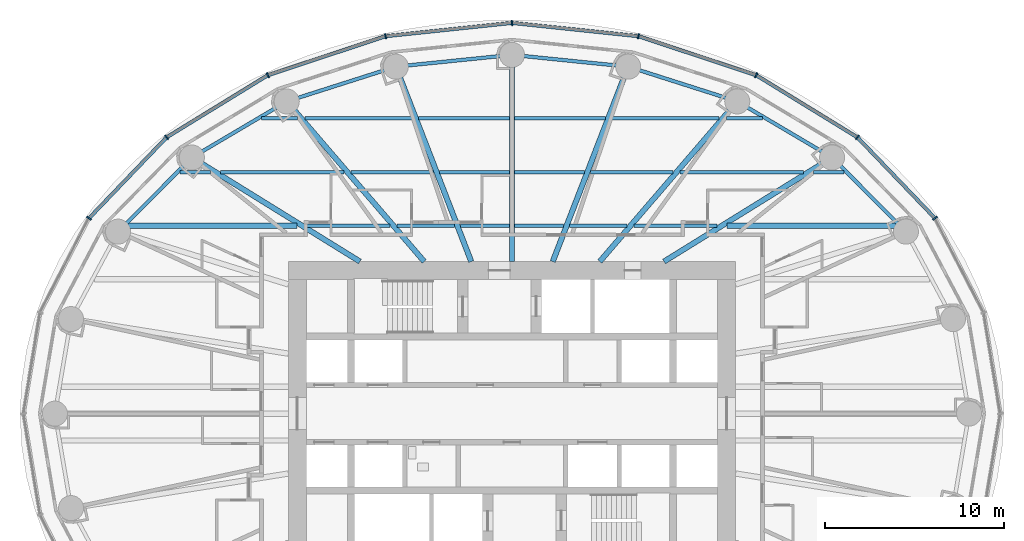
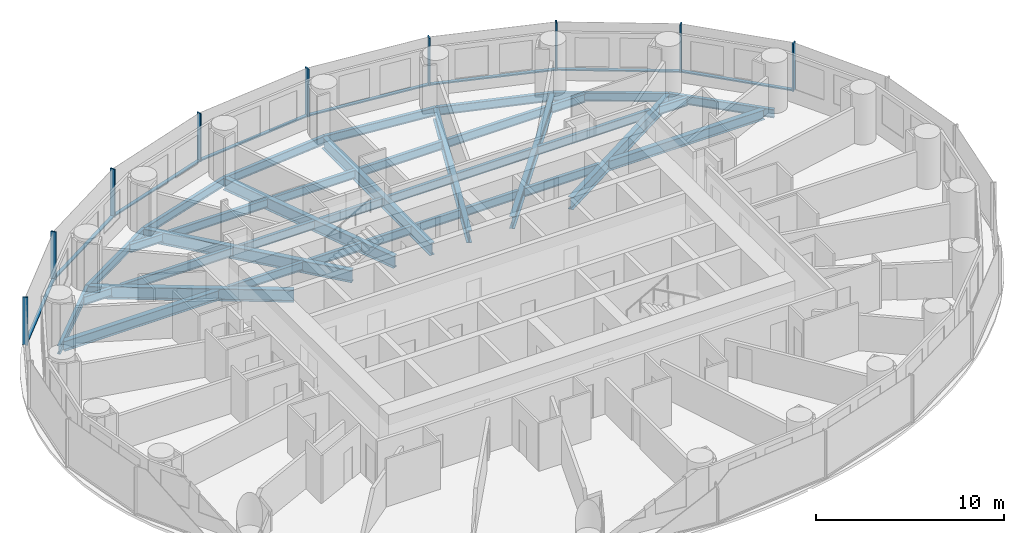
# One storey, part 4 of 16: 37 beams, 17 members, 2 elements without a shape of their own.
"""IFC4 building model written with IfcOpenShell, lengths in metres."""

from ifc_helpers import new_model, si_unit, direction, frame, origin, origin_2d, place, context, subcontext, project, spatial, rectangle, i_section, extrude, material, material_profile, profile_set, type_object, element, aggregate, save


model = new_model("IFC4")

# Units and contexts
model_context = context("Model", 3, precision=1e-05, world=origin(), true_north=direction((0.0, 1.0)))
body_context = subcontext(model_context, "Body", "Model", "MODEL_VIEW")
ifc_project = project(units=[si_unit("LENGTHUNIT", "METRE"), si_unit("AREAUNIT", "SQUARE_METRE"), si_unit("VOLUMEUNIT", "CUBIC_METRE"), si_unit("PLANEANGLEUNIT", "RADIAN"), si_unit("MASSUNIT", "GRAM", prefix="KILO")], contexts=[model_context])

# Site, building, storey
site_placement = place(None, origin())
site = spatial("IfcSite", under=ifc_project, at=site_placement, CompositionType="ELEMENT")
building_placement = place(site_placement, origin())
building = spatial("IfcBuilding", under=site, at=building_placement, Name="Hankou Lantern Tower", CompositionType="ELEMENT")
storey_placement = place(building_placement, frame((0.0, 0.0, 73.800048828125)))
storey = spatial("IfcBuildingStorey", under=building, at=storey_placement, Name="L18", CompositionType="ELEMENT", Elevation=73.800048828125)

# Beams
ifc_material_1 = material(Name="Steel Q355B", Category="steel")
ifc_material_profile_1 = material_profile(ifc_material_1, i_section(OverallWidth=0.199951171875, OverallDepth=0.550048828125, WebThickness=0.010009765625, FlangeThickness=0.01611328125, FilletRadius=0.012939453125, at=origin_2d()), Name="HN550x200x10x16")
ifc_profile_set_1 = profile_set([ifc_material_profile_1], Name="Steel Q355B")
beam_type_1 = type_object("IfcBeamType", Name="EB6 RING BEAM HN550x200x10x16", PredefinedType="SPANDREL", material=ifc_profile_set_1)
beam_1_placement = place(storey_placement, frame((22.01904296875, 10.170166015625, -0.455078125), z_axis=(-0.705727798394, 0.708483079949, 0.0), x_axis=(-0.708483079949, -0.705727798394, 0.0)))
element("IfcBeam", 1, at=beam_1_placement, inside=storey, type_object=beam_type_1, Name="Ring beam R03-R04 L18", PredefinedType="SPANDREL", context=body_context, shape_type="SweptSolid", body=[
    extrude(i_section(OverallWidth=0.199951171875, OverallDepth=0.550048828125, WebThickness=0.010009765625, FlangeThickness=0.01611328125, FilletRadius=0.012939453125, at=origin_2d()), origin(), (0.0, 0.0, 1.0), 5.84814453125),
])
beam_2_placement = place(storey_placement, frame((17.891845703125, 14.3134765625, -0.455078125), z_axis=(-0.860881533543, 0.508805449268, 0.0), x_axis=(-0.508805449268, -0.860881533543, 0.0)))
element("IfcBeam", 2, at=beam_2_placement, inside=storey, type_object=beam_type_1, Name="Ring beam R04-R05 L18", PredefinedType="SPANDREL", context=body_context, shape_type="SweptSolid", body=[
    extrude(i_section(OverallWidth=0.199951171875, OverallDepth=0.550048828125, WebThickness=0.010009765625, FlangeThickness=0.01611328125, FilletRadius=0.012939453125, at=origin_2d()), origin(), (0.0, 0.0, 1.0), 6.15771484375),
])
beam_3_placement = place(storey_placement, frame((12.5908203125, 17.446533203125, -0.455078125), z_axis=(-0.952690479428, 0.303942182671, 0.0), x_axis=(-0.303942182671, -0.952690479428, 0.0)))
element("IfcBeam", 3, at=beam_3_placement, inside=storey, type_object=beam_type_1, Name="Ring beam R05-R06 L18", PredefinedType="SPANDREL", context=body_context, shape_type="SweptSolid", body=[
    extrude(i_section(OverallWidth=0.199951171875, OverallDepth=0.550048828125, WebThickness=0.010009765625, FlangeThickness=0.01611328125, FilletRadius=0.012939453125, at=origin_2d()), origin(), (0.0, 0.0, 1.0), 6.398681640625),
])
for number, where, z_axis, x_axis, name in (
    (4, (6.494873046875, 19.391357421875, -0.455078125), (-0.994896616842, 0.100899562915, 0.0), (-0.100899562915, -0.994896616842, 0.0), "Ring beam R06-R07 L18"),
    (5, (0.0, 20.050048828125, -0.455078125), (-0.994896616842, -0.100899562915, 0.0), (0.100899562915, -0.994896616842, 0.0), "Ring beam R07-R08 L18"),
):
    element("IfcBeam", number, at=place(storey_placement, frame(where, z_axis=z_axis, x_axis=x_axis)), inside=storey, type_object=beam_type_1, Name=name, PredefinedType="SPANDREL", context=body_context, shape_type="SweptSolid", body=[
        extrude(i_section(OverallWidth=0.199951171875, OverallDepth=0.550048828125, WebThickness=0.010009765625, FlangeThickness=0.01611328125, FilletRadius=0.012939453125, at=origin_2d()), origin(), (0.0, 0.0, 1.0), 6.528076171875),
    ])
beam_4_placement = place(storey_placement, frame((-6.494873046875, 19.391357421875, -0.455078125), z_axis=(-0.952690479428, -0.303942182671, 0.0), x_axis=(0.303942182671, -0.952690479428, 0.0)))
element("IfcBeam", 6, at=beam_4_placement, inside=storey, type_object=beam_type_1, Name="Ring beam R08-R09 L18", PredefinedType="SPANDREL", context=body_context, shape_type="SweptSolid", body=[
    extrude(i_section(OverallWidth=0.199951171875, OverallDepth=0.550048828125, WebThickness=0.010009765625, FlangeThickness=0.01611328125, FilletRadius=0.012939453125, at=origin_2d()), origin(), (0.0, 0.0, 1.0), 6.398681640625),
])
beam_5_placement = place(storey_placement, frame((-12.5908203125, 17.446533203125, -0.455078125), z_axis=(-0.860881533543, -0.508805449268, 0.0), x_axis=(0.508805449268, -0.860881533543, 0.0)))
element("IfcBeam", 7, at=beam_5_placement, inside=storey, type_object=beam_type_1, Name="Ring beam R09-R10 L18", PredefinedType="SPANDREL", context=body_context, shape_type="SweptSolid", body=[
    extrude(i_section(OverallWidth=0.199951171875, OverallDepth=0.550048828125, WebThickness=0.010009765625, FlangeThickness=0.01611328125, FilletRadius=0.012939453125, at=origin_2d()), origin(), (0.0, 0.0, 1.0), 6.15771484375),
])
beam_6_placement = place(storey_placement, frame((-17.891845703125, 14.3134765625, -0.455078125), z_axis=(-0.705727798394, -0.708483079949, 0.0), x_axis=(0.708483079949, -0.705727798394, 0.0)))
element("IfcBeam", 8, at=beam_6_placement, inside=storey, type_object=beam_type_1, Name="Ring beam R10-R11 L18", PredefinedType="SPANDREL", context=body_context, shape_type="SweptSolid", body=[
    extrude(i_section(OverallWidth=0.199951171875, OverallDepth=0.550048828125, WebThickness=0.010009765625, FlangeThickness=0.01611328125, FilletRadius=0.012939453125, at=origin_2d()), origin(), (0.0, 0.0, 1.0), 5.84814453125),
])

# Curtain wall, members
ifc_material_2 = material(Name="Glass, dark grey tinted laminated", Category="glass")
curtain_wall_type = type_object("IfcCurtainWallType", Name="CWA OUTER SKIN LOW-RISE", PredefinedType="USERDEFINED", material=ifc_material_2)
curtain_wall_1_placement = place(storey_placement, origin())
curtain_wall_1 = element("IfcCurtainWall", 9, at=curtain_wall_1_placement, inside=storey, type_object=curtain_wall_type, Name="CWA L18 OS1", ObjectType="OUTER SKIN LOW-RISE", PredefinedType="USERDEFINED")
ifc_material_3 = material(Name="Aluminium, black anodised", Category="aluminium")
ifc_material_profile_2 = material_profile(ifc_material_3, rectangle(XDim=0.080078125, YDim=0.300048828125, at=origin_2d()), Name="MU1 80X300")
ifc_profile_set_2 = profile_set([ifc_material_profile_2], Name="Aluminium, black anodised")
member_type_1 = type_object("IfcMemberType", Name="MU1 OUTER SKIN MULLION 80X300", PredefinedType="MULLION", material=ifc_profile_set_2)
member_1_placement = place(storey_placement, frame((23.642578125, 10.919921875, 0.0), z_axis=(0.0, 0.0, 1.0), x_axis=(-0.585205735974, 0.810884854084, 0.0)))
member_1 = element("IfcMember", 10, at=member_1_placement, type_object=member_type_1, Name="CWA mullion 3", PredefinedType="MULLION", context=body_context, shape_type="SweptSolid", body=[
    extrude(rectangle(XDim=0.080078125, YDim=0.300048828125, at=origin_2d()), origin(), (0.0, 0.0, 1.0), 3.119873046875),
])
member_2_placement = place(storey_placement, frame((19.303955078125, 15.443115234375, 0.0), z_axis=(0.0, 0.0, 1.0), x_axis=(-0.780868809444, 0.624695047553, 0.0)))
member_2 = element("IfcMember", 11, at=member_2_placement, type_object=member_type_1, Name="CWA mullion 4", PredefinedType="MULLION", context=body_context, shape_type="SweptSolid", body=[
    extrude(rectangle(XDim=0.080078125, YDim=0.300048828125, at=origin_2d()), origin(), (0.0, 0.0, 1.0), 3.119873046875),
])
member_3_placement = place(storey_placement, frame((13.64990234375, 18.9140625, 0.0), z_axis=(0.0, 0.0, 1.0), x_axis=(-0.907841299004, 0.419313934686, 0.0)))
member_3 = element("IfcMember", 12, at=member_3_placement, type_object=member_type_1, Name="CWA mullion 5", PredefinedType="MULLION", context=body_context, shape_type="SweptSolid", body=[
    extrude(rectangle(XDim=0.080078125, YDim=0.300048828125, at=origin_2d()), origin(), (0.0, 0.0, 1.0), 3.119873046875),
])
member_4_placement = place(storey_placement, frame((7.065673828125, 21.095703125, 0.0), z_axis=(0.0, 0.0, 1.0), x_axis=(-0.977787659625, 0.209597931016, 0.0)))
member_4 = element("IfcMember", 13, at=member_4_placement, type_object=member_type_1, Name="CWA mullion 6", PredefinedType="MULLION", context=body_context, shape_type="SweptSolid", body=[
    extrude(rectangle(XDim=0.080078125, YDim=0.300048828125, at=origin_2d()), origin(), (0.0, 0.0, 1.0), 3.119873046875),
])

curtain_wall_2_placement = place(storey_placement, origin())
curtain_wall_2 = element("IfcCurtainWall", 14, at=curtain_wall_2_placement, inside=storey, type_object=curtain_wall_type, Name="CWA L18 OS2", ObjectType="OUTER SKIN LOW-RISE", PredefinedType="USERDEFINED")
member_5_placement = place(storey_placement, frame((0.0, 21.840087890625, 0.0), z_axis=(0.0, 0.0, 1.0), x_axis=(-0.994499359107, -0.104742659579, 0.0)))
member_5 = element("IfcMember", 15, at=member_5_placement, type_object=member_type_1, Name="CWA mullion 1", PredefinedType="MULLION", context=body_context, shape_type="SweptSolid", body=[
    extrude(rectangle(XDim=0.080078125, YDim=0.300048828125, at=origin_2d()), origin(), (0.0, 0.0, 1.0), 3.119873046875),
])
member_6_placement = place(storey_placement, frame((-7.065673828125, 21.095703125, 0.0), z_axis=(0.0, 0.0, 1.0), x_axis=(-0.977787659625, -0.209597931016, 0.0)))
member_6 = element("IfcMember", 16, at=member_6_placement, type_object=member_type_1, Name="CWA mullion 2", PredefinedType="MULLION", context=body_context, shape_type="SweptSolid", body=[
    extrude(rectangle(XDim=0.080078125, YDim=0.300048828125, at=origin_2d()), origin(), (0.0, 0.0, 1.0), 3.119873046875),
])
member_7_placement = place(storey_placement, frame((-13.64990234375, 18.9140625, 0.0), z_axis=(0.0, 0.0, 1.0), x_axis=(-0.907841299004, -0.419313934686, 0.0)))
member_7 = element("IfcMember", 17, at=member_7_placement, type_object=member_type_1, Name="CWA mullion 3", PredefinedType="MULLION", context=body_context, shape_type="SweptSolid", body=[
    extrude(rectangle(XDim=0.080078125, YDim=0.300048828125, at=origin_2d()), origin(), (0.0, 0.0, 1.0), 3.119873046875),
])
member_8_placement = place(storey_placement, frame((-19.303955078125, 15.443115234375, 0.0), z_axis=(0.0, 0.0, 1.0), x_axis=(-0.780868809444, -0.624695047553, 0.0)))
member_8 = element("IfcMember", 18, at=member_8_placement, type_object=member_type_1, Name="CWA mullion 4", PredefinedType="MULLION", context=body_context, shape_type="SweptSolid", body=[
    extrude(rectangle(XDim=0.080078125, YDim=0.300048828125, at=origin_2d()), origin(), (0.0, 0.0, 1.0), 3.119873046875),
])
member_9_placement = place(storey_placement, frame((-23.642578125, 10.919921875, 0.0), z_axis=(0.0, 0.0, 1.0), x_axis=(-0.585205735974, -0.810884854084, 0.0)))
member_9 = element("IfcMember", 19, at=member_9_placement, type_object=member_type_1, Name="CWA mullion 5", PredefinedType="MULLION", context=body_context, shape_type="SweptSolid", body=[
    extrude(rectangle(XDim=0.080078125, YDim=0.300048828125, at=origin_2d()), origin(), (0.0, 0.0, 1.0), 3.119873046875),
])

# Beams
ifc_material_4 = material(Name="Steel Q355B", Category="steel")
ifc_material_profile_3 = material_profile(ifc_material_4, i_section(OverallWidth=0.300048828125, OverallDepth=0.800048828125, WebThickness=0.013916015625, FlangeThickness=0.02587890625, FilletRadius=0.01806640625, at=origin_2d()), Name="HN800x300x14x26")
ifc_profile_set_3 = profile_set([ifc_material_profile_3], Name="Steel Q355B")
beam_type_2 = type_object("IfcBeamType", Name="RB11 RADIAL BEAM HN800x300x14x26", PredefinedType="BEAM", material=ifc_profile_set_3)
beam_7_placement = place(storey_placement, frame((8.5, 8.5, -0.580078125), z_axis=(0.850286343288, 0.526320372414, 0.0), x_axis=(-0.526320372414, 0.850286343288, 0.0)))
element("IfcBeam", 20, at=beam_7_placement, inside=storey, type_object=beam_type_2, Name="Radial beam R04 L18", PredefinedType="BEAM", context=body_context, shape_type="SweptSolid", body=[
    extrude(i_section(OverallWidth=0.300048828125, OverallDepth=0.800048828125, WebThickness=0.013916015625, FlangeThickness=0.02587890625, FilletRadius=0.01806640625, at=origin_2d()), origin(), (0.0, 0.0, 1.0), 11.04541015625),
])
beam_8_placement = place(storey_placement, frame((4.907470703125, 8.5, -0.580078125), z_axis=(0.651519061225, 0.758632264579, 0.0), x_axis=(-0.758632264579, 0.651519061225, 0.0)))
element("IfcBeam", 21, at=beam_8_placement, inside=storey, type_object=beam_type_2, Name="Radial beam R05 L18", PredefinedType="BEAM", context=body_context, shape_type="SweptSolid", body=[
    extrude(i_section(OverallWidth=0.300048828125, OverallDepth=0.800048828125, WebThickness=0.013916015625, FlangeThickness=0.02587890625, FilletRadius=0.01806640625, at=origin_2d()), origin(), (0.0, 0.0, 1.0), 11.79296875),
])
beam_9_placement = place(storey_placement, frame((2.277587890625, 8.5, -0.580078125), z_axis=(0.361089103374, 0.932531318201, 0.0), x_axis=(-0.932531318201, 0.361089103374, 0.0)))
element("IfcBeam", 22, at=beam_9_placement, inside=storey, type_object=beam_type_2, Name="Radial beam R06 L18", PredefinedType="BEAM", context=body_context, shape_type="SweptSolid", body=[
    extrude(i_section(OverallWidth=0.300048828125, OverallDepth=0.800048828125, WebThickness=0.013916015625, FlangeThickness=0.02587890625, FilletRadius=0.01806640625, at=origin_2d()), origin(), (0.0, 0.0, 1.0), 11.679443359375),
])
beam_10_placement = place(storey_placement, frame((0.0, 8.5, -0.580078125), z_axis=(0.0, 1.0, 0.0), x_axis=(-1.0, 0.0, 0.0)))
element("IfcBeam", 23, at=beam_10_placement, inside=storey, type_object=beam_type_2, Name="Radial beam R07 L18", PredefinedType="BEAM", context=body_context, shape_type="SweptSolid", body=[
    extrude(i_section(OverallWidth=0.300048828125, OverallDepth=0.800048828125, WebThickness=0.013916015625, FlangeThickness=0.02587890625, FilletRadius=0.01806640625, at=origin_2d()), origin(), (0.0, 0.0, 1.0), 11.550048828125),
])
beam_11_placement = place(storey_placement, frame((-2.277587890625, 8.5, -0.580078125), z_axis=(-0.361089103374, 0.932531318201, 0.0), x_axis=(-0.932531318201, -0.361089103374, 0.0)))
element("IfcBeam", 24, at=beam_11_placement, inside=storey, type_object=beam_type_2, Name="Radial beam R08 L18", PredefinedType="BEAM", context=body_context, shape_type="SweptSolid", body=[
    extrude(i_section(OverallWidth=0.300048828125, OverallDepth=0.800048828125, WebThickness=0.013916015625, FlangeThickness=0.02587890625, FilletRadius=0.01806640625, at=origin_2d()), origin(), (0.0, 0.0, 1.0), 11.679443359375),
])
beam_12_placement = place(storey_placement, frame((-4.907470703125, 8.5, -0.580078125), z_axis=(-0.651519061225, 0.758632264579, 0.0), x_axis=(-0.758632264579, -0.651519061225, 0.0)))
element("IfcBeam", 25, at=beam_12_placement, inside=storey, type_object=beam_type_2, Name="Radial beam R09 L18", PredefinedType="BEAM", context=body_context, shape_type="SweptSolid", body=[
    extrude(i_section(OverallWidth=0.300048828125, OverallDepth=0.800048828125, WebThickness=0.013916015625, FlangeThickness=0.02587890625, FilletRadius=0.01806640625, at=origin_2d()), origin(), (0.0, 0.0, 1.0), 11.79296875),
])
beam_13_placement = place(storey_placement, frame((-8.5, 8.5, -0.580078125), z_axis=(-0.850286343288, 0.526320372414, 0.0), x_axis=(-0.526320372414, -0.850286343288, 0.0)))
element("IfcBeam", 26, at=beam_13_placement, inside=storey, type_object=beam_type_2, Name="Radial beam R10 L18", PredefinedType="BEAM", context=body_context, shape_type="SweptSolid", body=[
    extrude(i_section(OverallWidth=0.300048828125, OverallDepth=0.800048828125, WebThickness=0.013916015625, FlangeThickness=0.02587890625, FilletRadius=0.01806640625, at=origin_2d()), origin(), (0.0, 0.0, 1.0), 11.04541015625),
])
ifc_material_5 = material(Name="Steel Q355B", Category="steel")
ifc_material_profile_4 = material_profile(ifc_material_5, i_section(OverallWidth=0.199951171875, OverallDepth=0.550048828125, WebThickness=0.010009765625, FlangeThickness=0.01611328125, FilletRadius=0.012939453125, at=origin_2d()), Name="HN550x200x10x16")
ifc_profile_set_4 = profile_set([ifc_material_profile_4], Name="Steel Q355B")
beam_type_3 = type_object("IfcBeamType", Name="SB6 SECONDARY BEAM HN550x200x10x16", PredefinedType="JOIST", material=ifc_profile_set_4)
beam_14_placement = place(storey_placement, frame((-11.446044921875, 10.5, -0.455078125), z_axis=(1.0, 0.0, 0.0), x_axis=(0.0, 1.0, 0.0)))
element("IfcBeam", 27, at=beam_14_placement, inside=storey, type_object=beam_type_3, Name="Floor joist J040 L18", PredefinedType="JOIST", context=body_context, shape_type="SweptSolid", body=[
    extrude(i_section(OverallWidth=0.199951171875, OverallDepth=0.550048828125, WebThickness=0.010009765625, FlangeThickness=0.01611328125, FilletRadius=0.012939453125, at=origin_2d()), origin(), (0.0, 0.0, 1.0), 4.623291015625),
])
beam_15_placement = place(storey_placement, frame((-6.427490234375, 10.5, -0.455078125), z_axis=(1.0, 0.0, 0.0), x_axis=(0.0, 1.0, 0.0)))
element("IfcBeam", 28, at=beam_15_placement, inside=storey, type_object=beam_type_3, Name="Floor joist J041 L18", PredefinedType="JOIST", context=body_context, shape_type="SweptSolid", body=[
    extrude(i_section(OverallWidth=0.199951171875, OverallDepth=0.550048828125, WebThickness=0.010009765625, FlangeThickness=0.01611328125, FilletRadius=0.012939453125, at=origin_2d()), origin(), (0.0, 0.0, 1.0), 3.214599609375),
])
for number, where, z_axis, x_axis, name in (
    (29, (-2.89111328125, 10.5, -0.455078125), (1.0, 0.0, 0.0), (0.0, 1.0, 0.0), "Floor joist J042 L18"),
    (30, (0.14990234375, 10.5, -0.455078125), (1.0, 0.0, 0.0), (0.0, 1.0, 0.0), "Floor joist J043 L18"),
):
    element("IfcBeam", number, at=place(storey_placement, frame(where, z_axis=z_axis, x_axis=x_axis)), inside=storey, type_object=beam_type_3, Name=name, PredefinedType="JOIST", context=body_context, shape_type="SweptSolid", body=[
        extrude(i_section(OverallWidth=0.199951171875, OverallDepth=0.550048828125, WebThickness=0.010009765625, FlangeThickness=0.01611328125, FilletRadius=0.012939453125, at=origin_2d()), origin(), (0.0, 0.0, 1.0), 2.7412109375),
    ])
beam_16_placement = place(storey_placement, frame((3.212890625, 10.5, -0.455078125), z_axis=(1.0, 0.0, 0.0), x_axis=(0.0, 1.0, 0.0)))
element("IfcBeam", 31, at=beam_16_placement, inside=storey, type_object=beam_type_3, Name="Floor joist J044 L18", PredefinedType="JOIST", context=body_context, shape_type="SweptSolid", body=[
    extrude(i_section(OverallWidth=0.199951171875, OverallDepth=0.550048828125, WebThickness=0.010009765625, FlangeThickness=0.01611328125, FilletRadius=0.012939453125, at=origin_2d()), origin(), (0.0, 0.0, 1.0), 3.214599609375),
])
beam_17_placement = place(storey_placement, frame((6.82275390625, 10.5, -0.455078125), z_axis=(1.0, 0.0, 0.0), x_axis=(0.0, 1.0, 0.0)))
element("IfcBeam", 32, at=beam_17_placement, inside=storey, type_object=beam_type_3, Name="Floor joist J045 L18", PredefinedType="JOIST", context=body_context, shape_type="SweptSolid", body=[
    extrude(i_section(OverallWidth=0.199951171875, OverallDepth=0.550048828125, WebThickness=0.010009765625, FlangeThickness=0.01611328125, FilletRadius=0.012939453125, at=origin_2d()), origin(), (0.0, 0.0, 1.0), 4.623291015625),
])
beam_18_placement = place(storey_placement, frame((-18.560791015625, 13.5, -0.455078125), z_axis=(1.0, 0.0, 0.0), x_axis=(0.0, 1.0, 0.0)))
element("IfcBeam", 33, at=beam_18_placement, inside=storey, type_object=beam_type_3, Name="Floor joist J047 L18", PredefinedType="JOIST", context=body_context, shape_type="SweptSolid", body=[
    extrude(i_section(OverallWidth=0.199951171875, OverallDepth=0.550048828125, WebThickness=0.010009765625, FlangeThickness=0.01611328125, FilletRadius=0.012939453125, at=origin_2d()), origin(), (0.0, 0.0, 1.0), 1.697998046875),
])
beam_19_placement = place(storey_placement, frame((-16.292724609375, 13.5, -0.455078125), z_axis=(1.0, 0.0, 0.0), x_axis=(0.0, 1.0, 0.0)))
element("IfcBeam", 34, at=beam_19_placement, inside=storey, type_object=beam_type_3, Name="Floor joist J048 L18", PredefinedType="JOIST", context=body_context, shape_type="SweptSolid", body=[
    extrude(i_section(OverallWidth=0.199951171875, OverallDepth=0.550048828125, WebThickness=0.010009765625, FlangeThickness=0.01611328125, FilletRadius=0.012939453125, at=origin_2d()), origin(), (0.0, 0.0, 1.0), 6.893310546875),
])
beam_20_placement = place(storey_placement, frame((-9.00390625, 13.5, -0.455078125), z_axis=(1.0, 0.0, 0.0), x_axis=(0.0, 1.0, 0.0)))
element("IfcBeam", 35, at=beam_20_placement, inside=storey, type_object=beam_type_3, Name="Floor joist J049 L18", PredefinedType="JOIST", context=body_context, shape_type="SweptSolid", body=[
    extrude(i_section(OverallWidth=0.199951171875, OverallDepth=0.550048828125, WebThickness=0.010009765625, FlangeThickness=0.01611328125, FilletRadius=0.012939453125, at=origin_2d()), origin(), (0.0, 0.0, 1.0), 4.62939453125),
])
for number, where, z_axis, x_axis, name in (
    (36, (-4.052734375, 13.5, -0.455078125), (1.0, 0.0, 0.0), (0.0, 1.0, 0.0), "Floor joist J050 L18"),
    (37, (0.14990234375, 13.5, -0.455078125), (1.0, 0.0, 0.0), (0.0, 1.0, 0.0), "Floor joist J051 L18"),
):
    element("IfcBeam", number, at=place(storey_placement, frame(where, z_axis=z_axis, x_axis=x_axis)), inside=storey, type_object=beam_type_3, Name=name, PredefinedType="JOIST", context=body_context, shape_type="SweptSolid", body=[
        extrude(i_section(OverallWidth=0.199951171875, OverallDepth=0.550048828125, WebThickness=0.010009765625, FlangeThickness=0.01611328125, FilletRadius=0.012939453125, at=origin_2d()), origin(), (0.0, 0.0, 1.0), 3.90283203125),
    ])
beam_21_placement = place(storey_placement, frame((4.37451171875, 13.5, -0.455078125), z_axis=(1.0, 0.0, 0.0), x_axis=(0.0, 1.0, 0.0)))
element("IfcBeam", 38, at=beam_21_placement, inside=storey, type_object=beam_type_3, Name="Floor joist J052 L18", PredefinedType="JOIST", context=body_context, shape_type="SweptSolid", body=[
    extrude(i_section(OverallWidth=0.199951171875, OverallDepth=0.550048828125, WebThickness=0.010009765625, FlangeThickness=0.01611328125, FilletRadius=0.012939453125, at=origin_2d()), origin(), (0.0, 0.0, 1.0), 4.62939453125),
])
beam_22_placement = place(storey_placement, frame((9.3994140625, 13.5, -0.455078125), z_axis=(1.0, 0.0, 0.0), x_axis=(0.0, 1.0, 0.0)))
element("IfcBeam", 39, at=beam_22_placement, inside=storey, type_object=beam_type_3, Name="Floor joist J053 L18", PredefinedType="JOIST", context=body_context, shape_type="SweptSolid", body=[
    extrude(i_section(OverallWidth=0.199951171875, OverallDepth=0.550048828125, WebThickness=0.010009765625, FlangeThickness=0.01611328125, FilletRadius=0.012939453125, at=origin_2d()), origin(), (0.0, 0.0, 1.0), 6.893310546875),
])
beam_23_placement = place(storey_placement, frame((16.86279296875, 13.5, -0.455078125), z_axis=(1.0, 0.0, 0.0), x_axis=(0.0, 1.0, 0.0)))
element("IfcBeam", 40, at=beam_23_placement, inside=storey, type_object=beam_type_3, Name="Floor joist J054 L18", PredefinedType="JOIST", context=body_context, shape_type="SweptSolid", body=[
    extrude(i_section(OverallWidth=0.199951171875, OverallDepth=0.550048828125, WebThickness=0.010009765625, FlangeThickness=0.01611328125, FilletRadius=0.012939453125, at=origin_2d()), origin(), (0.0, 0.0, 1.0), 1.697998046875),
])
beam_24_placement = place(storey_placement, frame((-13.99560546875, 16.5, -0.455078125), z_axis=(1.0, 0.0, 0.0), x_axis=(0.0, 1.0, 0.0)))
element("IfcBeam", 41, at=beam_24_placement, inside=storey, type_object=beam_type_3, Name="Floor joist J055 L18", PredefinedType="JOIST", context=body_context, shape_type="SweptSolid", body=[
    extrude(i_section(OverallWidth=0.199951171875, OverallDepth=0.550048828125, WebThickness=0.010009765625, FlangeThickness=0.01611328125, FilletRadius=0.012939453125, at=origin_2d()), origin(), (0.0, 0.0, 1.0), 2.019775390625),
])
beam_25_placement = place(storey_placement, frame((-11.580322265625, 16.5, -0.455078125), z_axis=(1.0, 0.0, 0.0), x_axis=(0.0, 1.0, 0.0)))
element("IfcBeam", 42, at=beam_25_placement, inside=storey, type_object=beam_type_3, Name="Floor joist J056 L18", PredefinedType="JOIST", context=body_context, shape_type="SweptSolid", body=[
    extrude(i_section(OverallWidth=0.199951171875, OverallDepth=0.550048828125, WebThickness=0.010009765625, FlangeThickness=0.01611328125, FilletRadius=0.012939453125, at=origin_2d()), origin(), (0.0, 0.0, 1.0), 6.044189453125),
])
for number, where, z_axis, x_axis, name in (
    (43, (-5.21435546875, 16.5, -0.455078125), (1.0, 0.0, 0.0), (0.0, 1.0, 0.0), "Floor joist J057 L18"),
    (44, (0.14990234375, 16.5, -0.455078125), (1.0, 0.0, 0.0), (0.0, 1.0, 0.0), "Floor joist J058 L18"),
):
    element("IfcBeam", number, at=place(storey_placement, frame(where, z_axis=z_axis, x_axis=x_axis)), inside=storey, type_object=beam_type_3, Name=name, PredefinedType="JOIST", context=body_context, shape_type="SweptSolid", body=[
        extrude(i_section(OverallWidth=0.199951171875, OverallDepth=0.550048828125, WebThickness=0.010009765625, FlangeThickness=0.01611328125, FilletRadius=0.012939453125, at=origin_2d()), origin(), (0.0, 0.0, 1.0), 5.064453125),
    ])
beam_26_placement = place(storey_placement, frame((5.5361328125, 16.5, -0.455078125), z_axis=(1.0, 0.0, 0.0), x_axis=(0.0, 1.0, 0.0)))
element("IfcBeam", 45, at=beam_26_placement, inside=storey, type_object=beam_type_3, Name="Floor joist J059 L18", PredefinedType="JOIST", context=body_context, shape_type="SweptSolid", body=[
    extrude(i_section(OverallWidth=0.199951171875, OverallDepth=0.550048828125, WebThickness=0.010009765625, FlangeThickness=0.01611328125, FilletRadius=0.012939453125, at=origin_2d()), origin(), (0.0, 0.0, 1.0), 6.044189453125),
])
beam_27_placement = place(storey_placement, frame((11.975830078125, 16.5, -0.455078125), z_axis=(1.0, 0.0, 0.0), x_axis=(0.0, 1.0, 0.0)))
element("IfcBeam", 46, at=beam_27_placement, inside=storey, type_object=beam_type_3, Name="Floor joist J060 L18", PredefinedType="JOIST", context=body_context, shape_type="SweptSolid", body=[
    extrude(i_section(OverallWidth=0.199951171875, OverallDepth=0.550048828125, WebThickness=0.010009765625, FlangeThickness=0.01611328125, FilletRadius=0.012939453125, at=origin_2d()), origin(), (0.0, 0.0, 1.0), 2.019775390625),
])
ifc_material_6 = material(Name="Steel Q355B", Category="steel")
ifc_material_profile_5 = material_profile(ifc_material_6, i_section(OverallWidth=0.300048828125, OverallDepth=0.64990234375, WebThickness=0.010986328125, FlangeThickness=0.01708984375, FilletRadius=0.01806640625, at=origin_2d()), Name="HN650x300x11x17")
ifc_profile_set_5 = profile_set([ifc_material_profile_5], Name="Steel Q355B")
beam_type_4 = type_object("IfcBeamType", Name="SB8 SECONDARY BEAM HN650x300x11x17", PredefinedType="JOIST", material=ifc_profile_set_5)
for number, where, z_axis, x_axis, name in (
    (47, (-21.54931640625, 10.5, -0.505126953125), (1.0, 0.0, 0.0), (0.0, 1.0, 0.0), "Floor joist J039 L18"),
    (48, (12.01611328125, 10.5, -0.505126953125), (1.0, 0.0, 0.0), (0.0, 1.0, 0.0), "Floor joist J046 L18"),
):
    element("IfcBeam", number, at=place(storey_placement, frame(where, z_axis=z_axis, x_axis=x_axis)), inside=storey, type_object=beam_type_4, Name=name, PredefinedType="JOIST", context=body_context, shape_type="SweptSolid", body=[
        extrude(i_section(OverallWidth=0.300048828125, OverallDepth=0.64990234375, WebThickness=0.010986328125, FlangeThickness=0.01708984375, FilletRadius=0.01806640625, at=origin_2d()), origin(), (0.0, 0.0, 1.0), 9.533203125),
    ])

# Member
ifc_material_7 = material(Name="Aluminium, black anodised", Category="aluminium")
ifc_material_profile_6 = material_profile(ifc_material_7, rectangle(XDim=0.199951171875, YDim=0.080078125, at=origin_2d()), Name="TR1 200X80")
ifc_profile_set_6 = profile_set([ifc_material_profile_6], Name="Aluminium, black anodised")
member_type_2 = type_object("IfcMemberType", Name="TR1 OUTER SKIN TRANSOM 200X80", PredefinedType="USERDEFINED", material=ifc_profile_set_6)
member_10_placement = place(storey_placement, frame((23.61474609375, 10.948974609375, 0.0400390625), z_axis=(-0.692215537374, 0.721690827029, 0.0), x_axis=(-0.721690827029, -0.692215537374, 0.0)))
member_10 = element("IfcMember", 49, at=member_10_placement, type_object=member_type_2, Name="CWA transom 3", ObjectType="TRANSOM", PredefinedType="USERDEFINED", context=body_context, shape_type="SweptSolid", body=[
    extrude(rectangle(XDim=0.199951171875, YDim=0.080078125, at=origin_2d()), origin(), (0.0, 0.0, 1.0), 6.187255859375),
])

member_11_placement = place(storey_placement, frame((19.27001953125, 15.464111328125, 0.0400390625), z_axis=(-0.85223969557, 0.523151508929, 0.0), x_axis=(-0.523151508929, -0.85223969557, 0.0)))
member_11 = element("IfcMember", 50, at=member_11_placement, type_object=member_type_2, Name="CWA transom 4", ObjectType="TRANSOM", PredefinedType="USERDEFINED", context=body_context, shape_type="SweptSolid", body=[
    extrude(rectangle(XDim=0.199951171875, YDim=0.080078125, at=origin_2d()), origin(), (0.0, 0.0, 1.0), 6.554443359375),
])

member_12_placement = place(storey_placement, frame((13.612060546875, 18.926513671875, 0.0400390625), z_axis=(-0.949237318771, 0.314560825044, 0.0), x_axis=(-0.314560825044, -0.949237318771, 0.0)))
member_12 = element("IfcMember", 51, at=member_12_placement, type_object=member_type_2, Name="CWA transom 5", ObjectType="TRANSOM", PredefinedType="USERDEFINED", context=body_context, shape_type="SweptSolid", body=[
    extrude(rectangle(XDim=0.199951171875, YDim=0.080078125, at=origin_2d()), origin(), (0.0, 0.0, 1.0), 6.8564453125),
])

member_13_placement = place(storey_placement, frame((7.02587890625, 21.10009765625, 0.0400390625), z_axis=(-0.994502215033, 0.104715539888, 0.0), x_axis=(-0.104715539888, -0.994502215033, 0.0)))
member_13 = element("IfcMember", 52, at=member_13_placement, type_object=member_type_2, Name="CWA transom 6", ObjectType="TRANSOM", PredefinedType="USERDEFINED", context=body_context, shape_type="SweptSolid", body=[
    extrude(rectangle(XDim=0.199951171875, YDim=0.080078125, at=origin_2d()), origin(), (0.0, 0.0, 1.0), 7.024658203125),
])

aggregate(curtain_wall_1, [member_1, member_2, member_3, member_4, member_10, member_11, member_12, member_13])

member_14_placement = place(storey_placement, frame((-0.039794921875, 21.835693359375, 0.0400390625), z_axis=(-0.994502215033, -0.104715539888, 0.0), x_axis=(0.104715539888, -0.994502215033, 0.0)))
member_14 = element("IfcMember", 53, at=member_14_placement, type_object=member_type_2, Name="CWA transom 1", ObjectType="TRANSOM", PredefinedType="USERDEFINED", context=body_context, shape_type="SweptSolid", body=[
    extrude(rectangle(XDim=0.199951171875, YDim=0.080078125, at=origin_2d()), origin(), (0.0, 0.0, 1.0), 7.024658203125),
])

member_15_placement = place(storey_placement, frame((-7.103759765625, 21.083251953125, 0.0400390625), z_axis=(-0.949237318771, -0.314560825044, 0.0), x_axis=(0.314560825044, -0.949237318771, 0.0)))
member_15 = element("IfcMember", 54, at=member_15_placement, type_object=member_type_2, Name="CWA transom 2", ObjectType="TRANSOM", PredefinedType="USERDEFINED", context=body_context, shape_type="SweptSolid", body=[
    extrude(rectangle(XDim=0.199951171875, YDim=0.080078125, at=origin_2d()), origin(), (0.0, 0.0, 1.0), 6.8564453125),
])

member_16_placement = place(storey_placement, frame((-13.68408203125, 18.89306640625, 0.0400390625), z_axis=(-0.85223969557, -0.523151508929, 0.0), x_axis=(0.523151508929, -0.85223969557, 0.0)))
member_16 = element("IfcMember", 55, at=member_16_placement, type_object=member_type_2, Name="CWA transom 3", ObjectType="TRANSOM", PredefinedType="USERDEFINED", context=body_context, shape_type="SweptSolid", body=[
    extrude(rectangle(XDim=0.199951171875, YDim=0.080078125, at=origin_2d()), origin(), (0.0, 0.0, 1.0), 6.554443359375),
])

member_17_placement = place(storey_placement, frame((-19.331787109375, 15.414306640625, 0.0400390625), z_axis=(-0.692215537374, -0.721690827029, 0.0), x_axis=(0.721690827029, -0.692215537374, 0.0)))
member_17 = element("IfcMember", 56, at=member_17_placement, type_object=member_type_2, Name="CWA transom 4", ObjectType="TRANSOM", PredefinedType="USERDEFINED", context=body_context, shape_type="SweptSolid", body=[
    extrude(rectangle(XDim=0.199951171875, YDim=0.080078125, at=origin_2d()), origin(), (0.0, 0.0, 1.0), 6.187255859375),
])

aggregate(curtain_wall_2, [member_5, member_6, member_7, member_8, member_9, member_14, member_15, member_16, member_17])

save(model, "model.ifc")
